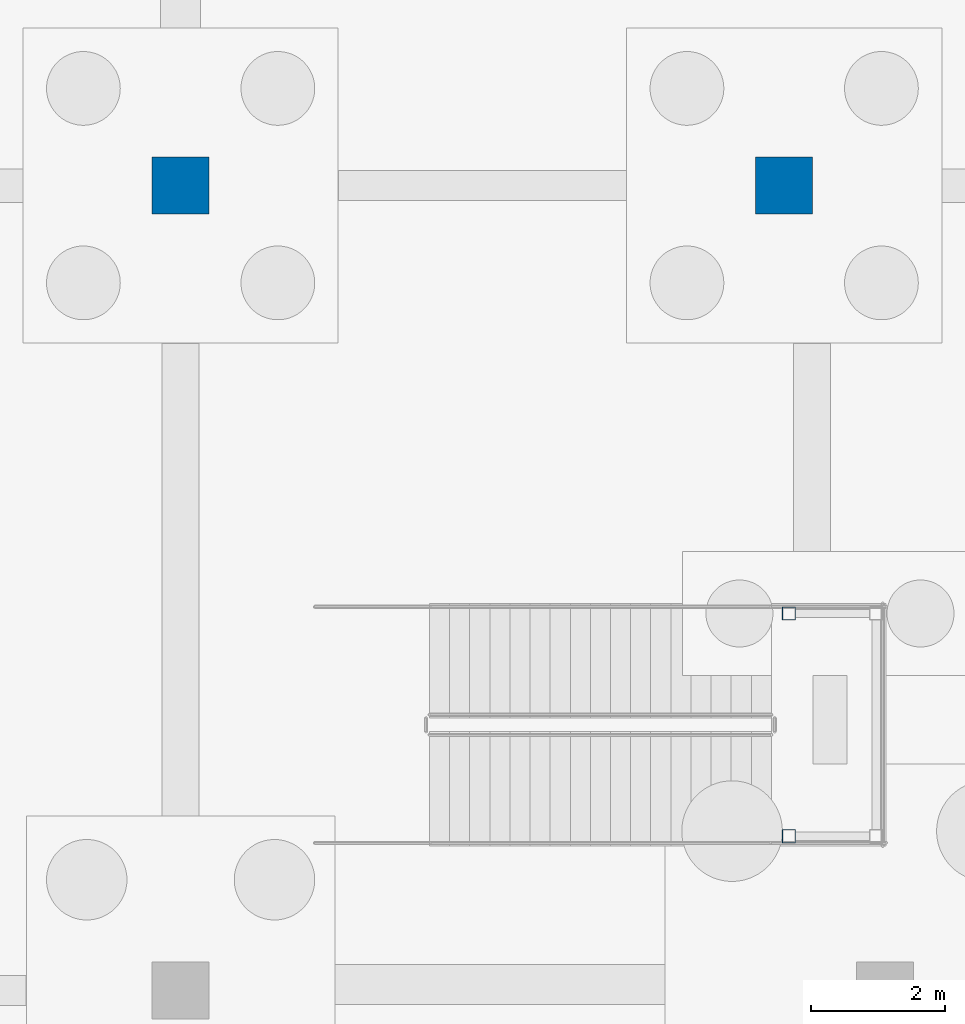
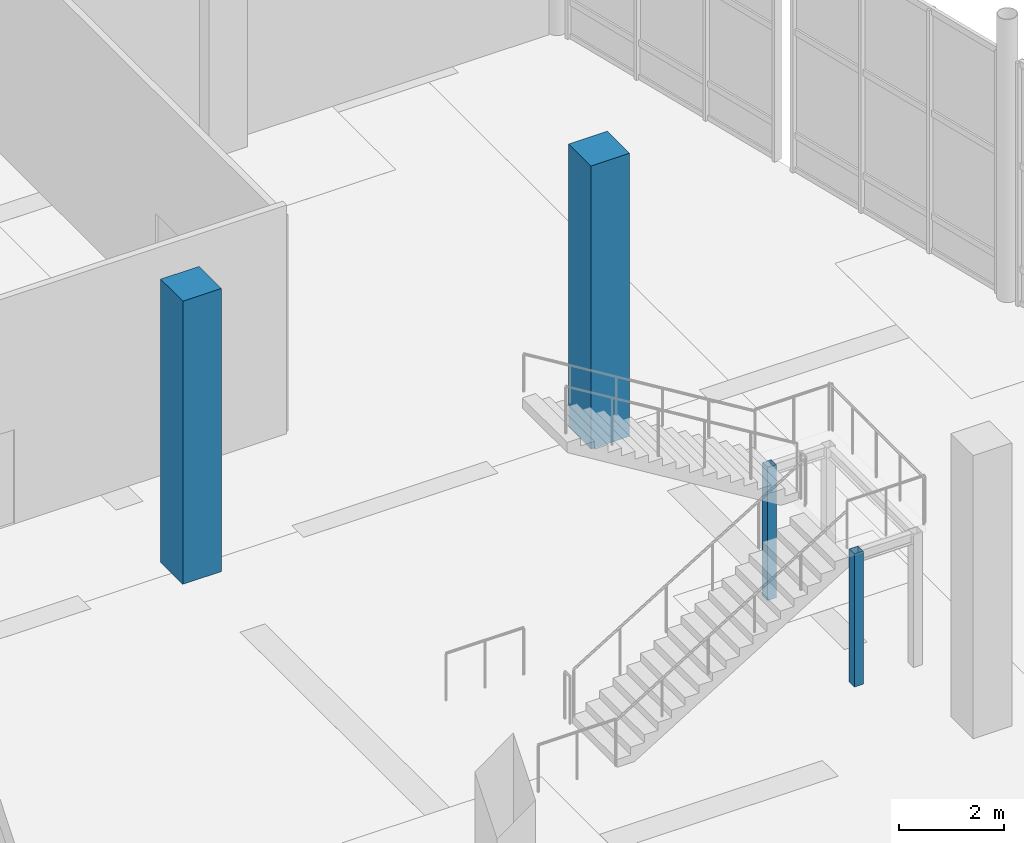
# One storey, part 31 of 117: 4 columns.
"""IFC4 building model written with IfcOpenShell, lengths in metres."""

from ifc_helpers import new_model, si_unit, direction, frame, origin, origin_2d, place, context, subcontext, project, spatial, rectangle, hollow_rectangle, extrude, material, material_profile, profile_set, type_object, element, save


model = new_model("IFC4")

# Units and contexts
model_context = context("Model", 3, precision=1e-05, world=origin(), true_north=direction((0.0, 1.0)))
body_context = subcontext(model_context, "Body", "Model", "MODEL_VIEW")
ifc_project = project(units=[si_unit("LENGTHUNIT", "METRE"), si_unit("AREAUNIT", "SQUARE_METRE"), si_unit("VOLUMEUNIT", "CUBIC_METRE"), si_unit("PLANEANGLEUNIT", "RADIAN"), si_unit("MASSUNIT", "GRAM", prefix="KILO")], contexts=[model_context])

# Site, building, storey
site_placement = place(None, origin())
site = spatial("IfcSite", under=ifc_project, at=site_placement, CompositionType="ELEMENT")
building_placement = place(site_placement, origin())
building = spatial("IfcBuilding", under=site, at=building_placement, Name="Kamomehara Wholesale Market", CompositionType="ELEMENT")
storey_placement = place(building_placement, origin())
storey = spatial("IfcBuildingStorey", under=building, at=storey_placement, Name="L00", CompositionType="ELEMENT", Elevation=0.0)

# Columns
ifc_material_1 = material(Name="Precast concrete Fc45 (C40/50)", Category="concrete")
ifc_material_profile_1 = material_profile(ifc_material_1, rectangle(XDim=0.85009765625, YDim=0.85009765625, at=origin_2d()), Name="PC-COL-850x850")
ifc_profile_set_1 = profile_set([ifc_material_profile_1], Name="Precast concrete Fc45 (C40/50)")
column_type_1 = type_object("IfcColumnType", Name="COL-PC850-EXT", PredefinedType="COLUMN", material=ifc_profile_set_1)
for number, where, z_axis, x_axis, name in (
    (1, (180.0, 48.0, 0.0), (0.0, 0.0, 1.0), (1.0, 0.0, 0.0), "Column C-02E L00"),
    (2, (189.0, 48.0, 0.0), (0.0, 0.0, 1.0), (1.0, 0.0, 0.0), "Column C-02E L00"),
):
    element("IfcColumn", number, at=place(storey_placement, frame(where, z_axis=z_axis, x_axis=x_axis)), inside=storey, type_object=column_type_1, Name=name, PredefinedType="COLUMN", context=body_context, shape_type="SweptSolid", body=[
        extrude(rectangle(XDim=0.85009765625, YDim=0.85009765625, at=origin_2d()), origin(), (0.0, 0.0, 1.0), 6.60009765625),
    ])
ifc_material_2 = material(Name="Steel SN490B", Category="steel")
ifc_material_profile_2 = material_profile(ifc_material_2, hollow_rectangle(XDim=0.199951171875, YDim=0.199951171875, WallThickness=0.009033203125, at=origin_2d()), Name="RHS-200x200x9")
ifc_profile_set_2 = profile_set([ifc_material_profile_2], Name="Steel SN490B")
column_type_2 = type_object("IfcColumnType", Name="COL-ST-RHS200", PredefinedType="COLUMN", material=ifc_profile_set_2)
for number, where, z_axis, x_axis, name in (
    (3, (189.070068359375, 38.300048828125, 0.0), (0.0, 0.0, 1.0), (1.0, 0.0, 0.0), "Column CS-12 L00"),
    (4, (189.070068359375, 41.6201171875, 0.0), (0.0, 0.0, 1.0), (1.0, 0.0, 0.0), "Column CS-12 L00"),
):
    element("IfcColumn", number, at=place(storey_placement, frame(where, z_axis=z_axis, x_axis=x_axis)), inside=storey, type_object=column_type_2, Name=name, PredefinedType="COLUMN", context=body_context, shape_type="SweptSolid", body=[
        extrude(hollow_rectangle(XDim=0.199951171875, YDim=0.199951171875, WallThickness=0.009033203125, at=origin_2d()), origin(), (0.0, 0.0, 1.0), 3.10009765625),
    ])

save(model, "model.ifc")
